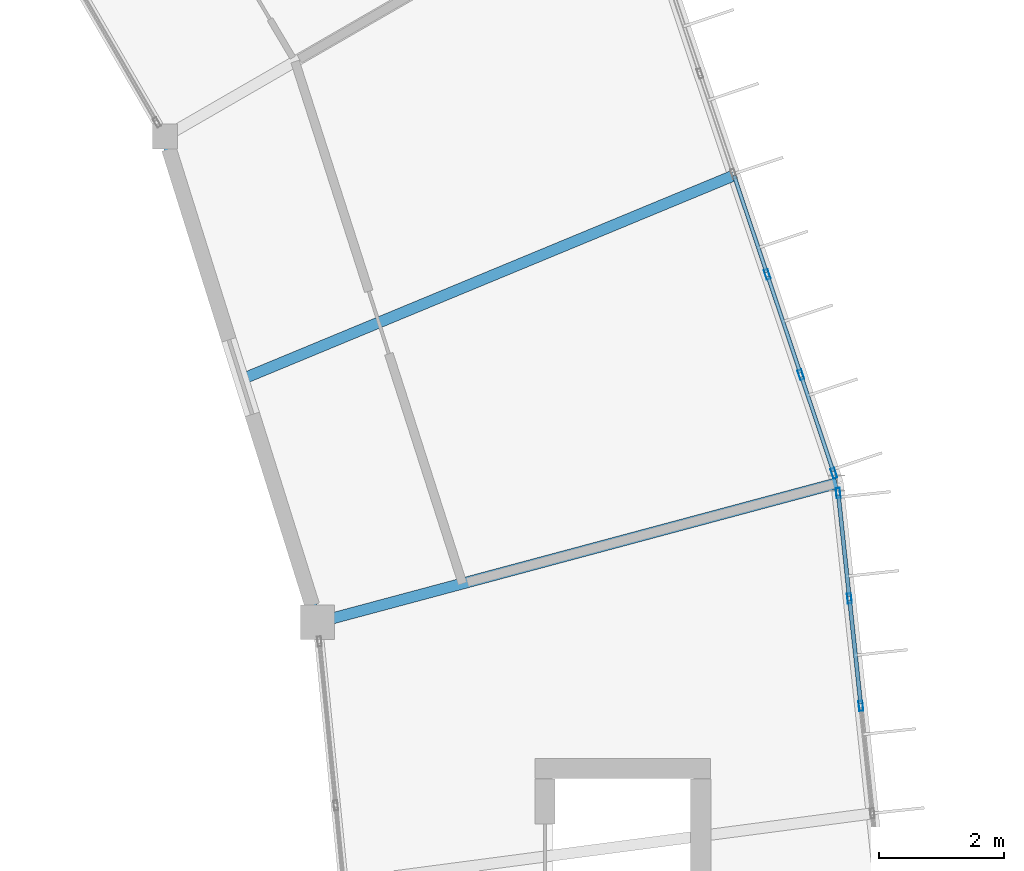
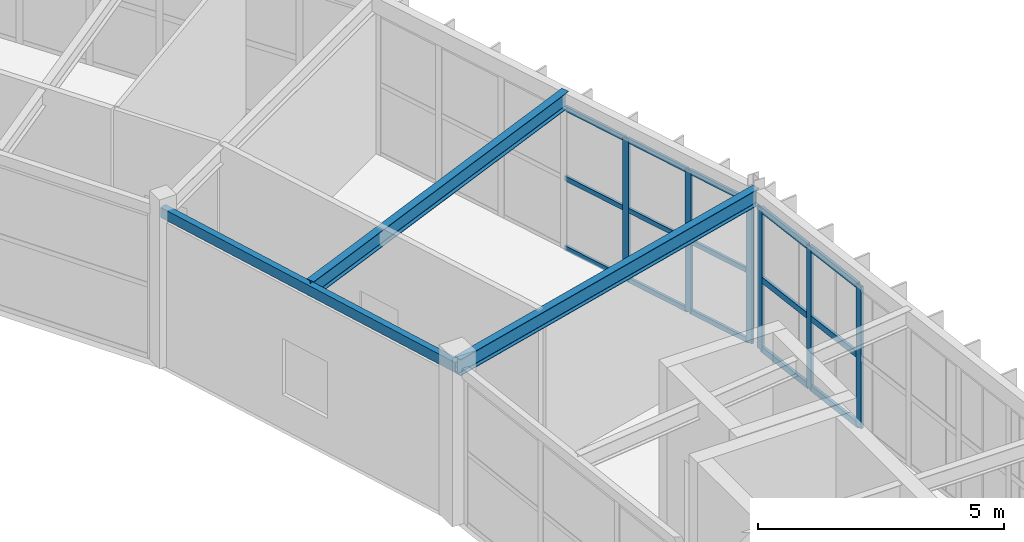
# One storey, part 28 of 66: 21 members, 3 beams, 2 elements without a shape of their own.
"""IFC4 building model written with IfcOpenShell, lengths in metres."""

from ifc_helpers import new_model, si_unit, direction, frame, origin, origin_2d, place, context, subcontext, project, spatial, hollow_rectangle, i_section, extrude, material, material_profile, profile_set, type_object, element, aggregate, save


model = new_model("IFC4")

# Units and contexts
model_context = context("Model", 3, precision=1e-05, world=origin(), true_north=direction((0.0, 1.0)))
body_context = subcontext(model_context, "Body", "Model", "MODEL_VIEW")
ifc_project = project(units=[si_unit("LENGTHUNIT", "METRE"), si_unit("AREAUNIT", "SQUARE_METRE"), si_unit("VOLUMEUNIT", "CUBIC_METRE"), si_unit("PLANEANGLEUNIT", "RADIAN"), si_unit("MASSUNIT", "GRAM", prefix="KILO")], contexts=[model_context])

# Site, building, storey
site_placement = place(None, origin())
site = spatial("IfcSite", under=ifc_project, at=site_placement, CompositionType="ELEMENT")
building_placement = place(site_placement, origin())
building = spatial("IfcBuilding", under=site, at=building_placement, Name="Karori Crest Natural Sciences Institute", CompositionType="ELEMENT")
storey_placement = place(building_placement, frame((0.0, 0.0, 30.10009765625)))
storey = spatial("IfcBuildingStorey", under=building, at=storey_placement, Name="L07", CompositionType="ELEMENT", Elevation=30.10009765625)

# Beams
ifc_material_1 = material(Name="Structural steel AS/NZS 3679.1 Grade 350", Category="steel")
ifc_material_profile_1 = material_profile(ifc_material_1, i_section(OverallWidth=0.177978515625, OverallDepth=0.406005859375, WebThickness=0.0078125, FlangeThickness=0.0126953125, FilletRadius=0.010986328125, at=origin_2d()), Name="410UB59.7")
ifc_profile_set_1 = profile_set([ifc_material_profile_1], Name="Structural steel AS/NZS 3679.1 Grade 350")
beam_type_1 = type_object("IfcBeamType", Name="BT-07", PredefinedType="BEAM", material=ifc_profile_set_1)
beam_1_placement = place(storey_placement, frame((89.968505859375, 58.23388671875, 3.739990234375), z_axis=(0.96592752402, 0.258812709002, 0.0), x_axis=(-0.258812709002, 0.96592752402, 0.0)))
element("IfcBeam", 1, at=beam_1_placement, inside=storey, type_object=beam_type_1, Name="Beam B-0649", PredefinedType="BEAM", context=body_context, shape_type="SweptSolid", body=[
    extrude(i_section(OverallWidth=0.177978515625, OverallDepth=0.406005859375, WebThickness=0.0078125, FlangeThickness=0.0126953125, FilletRadius=0.010986328125, at=origin_2d()), origin(), (0.0, 0.0, 1.0), 8.60009765625),
])
beam_2_placement = place(storey_placement, frame((88.749755859375, 62.116943359375, 3.739990234375), z_axis=(0.923879682373, 0.382683070567, 0.0), x_axis=(-0.382683070567, 0.923879682373, 0.0)))
element("IfcBeam", 2, at=beam_2_placement, inside=storey, type_object=beam_type_1, Name="Beam B-2882", PredefinedType="BEAM", context=body_context, shape_type="SweptSolid", body=[
    extrude(i_section(OverallWidth=0.177978515625, OverallDepth=0.406005859375, WebThickness=0.0078125, FlangeThickness=0.0126953125, FilletRadius=0.010986328125, at=origin_2d()), origin(), (0.0, 0.0, 1.0), 8.5263671875),
])
ifc_material_2 = material(Name="Hollow structural steel AS/NZS 1163 Grade C350", Category="steel")
ifc_material_profile_2 = material_profile(ifc_material_2, hollow_rectangle(XDim=0.14990234375, YDim=0.25, WallThickness=0.009033203125, at=origin_2d()), Name="RHS250x150x9")
ifc_profile_set_2 = profile_set([ifc_material_profile_2], Name="Hollow structural steel AS/NZS 1163 Grade C350")
beam_type_2 = type_object("IfcBeamType", Name="BT-16", PredefinedType="SPANDREL", material=ifc_profile_set_2)
beam_3_placement = place(storey_placement, frame((89.968505859375, 58.23388671875, 3.739990234375), z_axis=(-0.299460006143, 0.954108853706, 0.0), x_axis=(-0.954108853706, -0.299460006143, 0.0)))
element("IfcBeam", 3, at=beam_3_placement, inside=storey, type_object=beam_type_2, Name="Beam B-0648", PredefinedType="SPANDREL", context=body_context, shape_type="SweptSolid", body=[
    extrude(hollow_rectangle(XDim=0.14990234375, YDim=0.25, WallThickness=0.009033203125, at=origin_2d()), origin(), (0.0, 0.0, 1.0), 8.1396484375),
])

# Curtain wall, members
ifc_material_3 = material(Name="Anodised architectural aluminium 6063-T6", Category="aluminium")
curtain_wall_type_1 = type_object("IfcCurtainWallType", Name="CWT-01", PredefinedType="NOTDEFINED", material=ifc_material_3)
curtain_wall_1_placement = place(storey_placement, origin())
curtain_wall_1 = element("IfcCurtainWall", 4, at=curtain_wall_1_placement, inside=storey, type_object=curtain_wall_type_1, Name="Curtain wall CW-0243", PredefinedType="NOTDEFINED")
ifc_material_profile_3 = material_profile(ifc_material_3, hollow_rectangle(XDim=0.06494140625, YDim=0.159912109375, WallThickness=0.00390625, at=origin_2d()), Name="CWM160x65x4")
ifc_profile_set_3 = profile_set([ifc_material_profile_3], Name="Anodised architectural aluminium 6063-T6")
member_type_1 = type_object("IfcMemberType", Name="CWM-01", PredefinedType="MULLION", material=ifc_profile_set_3)
member_1_placement = place(storey_placement, frame((98.292236328125, 60.302490234375, 0.0), z_axis=(0.0, 0.0, 1.0), x_axis=(0.994378435661, 0.105884496939, 0.0)))
member_1 = element("IfcMember", 5, at=member_1_placement, type_object=member_type_1, Name="CW-0243 mullion 1", PredefinedType="MULLION", context=body_context, shape_type="SweptSolid", body=[
    extrude(hollow_rectangle(XDim=0.06494140625, YDim=0.159912109375, WallThickness=0.00390625, at=origin_2d()), origin(), (0.0, 0.0, 1.0), 3.52490234375),
])
member_2_placement = place(storey_placement, frame((98.471923828125, 58.616943359375, 0.0), z_axis=(0.0, 0.0, 1.0), x_axis=(0.994378435661, 0.105884496939, 0.0)))
member_2 = element("IfcMember", 6, at=member_2_placement, type_object=member_type_1, Name="CW-0243 mullion 2", PredefinedType="MULLION", context=body_context, shape_type="SweptSolid", body=[
    extrude(hollow_rectangle(XDim=0.06494140625, YDim=0.159912109375, WallThickness=0.00390625, at=origin_2d()), origin(), (0.0, 0.0, 1.0), 3.52490234375),
])
member_3_placement = place(storey_placement, frame((98.65478515625, 56.899169921875, 0.0), z_axis=(0.0, 0.0, 1.0), x_axis=(0.994378435661, 0.105884496939, 0.0)))
member_3 = element("IfcMember", 7, at=member_3_placement, type_object=member_type_1, Name="CW-0243 mullion 3", PredefinedType="MULLION", context=body_context, shape_type="SweptSolid", body=[
    extrude(hollow_rectangle(XDim=0.06494140625, YDim=0.159912109375, WallThickness=0.00390625, at=origin_2d()), origin(), (0.0, 0.0, 1.0), 3.52490234375),
])

curtain_wall_type_2 = type_object("IfcCurtainWallType", Name="CWT-02", PredefinedType="NOTDEFINED", material=ifc_material_3)
curtain_wall_2_placement = place(storey_placement, origin())
curtain_wall_2 = element("IfcCurtainWall", 8, at=curtain_wall_2_placement, inside=storey, type_object=curtain_wall_type_2, Name="Curtain wall CW-0245", PredefinedType="NOTDEFINED")
member_4_placement = place(storey_placement, frame((97.157470703125, 63.796875, 0.0), z_axis=(0.0, 0.0, 1.0), x_axis=(0.94819805026, 0.317679803392, 0.0)))
member_4 = element("IfcMember", 9, at=member_4_placement, type_object=member_type_1, Name="CW-0245 mullion 5", PredefinedType="MULLION", context=body_context, shape_type="SweptSolid", body=[
    extrude(hollow_rectangle(XDim=0.06494140625, YDim=0.159912109375, WallThickness=0.00390625, at=origin_2d()), origin(), (0.0, 0.0, 1.0), 3.52490234375),
])
member_5_placement = place(storey_placement, frame((97.695556640625, 62.19091796875, 0.0), z_axis=(0.0, 0.0, 1.0), x_axis=(0.94819805026, 0.317679803392, 0.0)))
member_5 = element("IfcMember", 10, at=member_5_placement, type_object=member_type_1, Name="CW-0245 mullion 6", PredefinedType="MULLION", context=body_context, shape_type="SweptSolid", body=[
    extrude(hollow_rectangle(XDim=0.06494140625, YDim=0.159912109375, WallThickness=0.00390625, at=origin_2d()), origin(), (0.0, 0.0, 1.0), 3.52490234375),
])
member_6_placement = place(storey_placement, frame((98.223388671875, 60.61572265625, 0.0), z_axis=(0.0, 0.0, 1.0), x_axis=(0.94819805026, 0.317679803392, 0.0)))
member_6 = element("IfcMember", 11, at=member_6_placement, type_object=member_type_1, Name="CW-0245 mullion 7", PredefinedType="MULLION", context=body_context, shape_type="SweptSolid", body=[
    extrude(hollow_rectangle(XDim=0.06494140625, YDim=0.159912109375, WallThickness=0.00390625, at=origin_2d()), origin(), (0.0, 0.0, 1.0), 3.52490234375),
])
ifc_material_profile_4 = material_profile(ifc_material_3, hollow_rectangle(XDim=0.06005859375, YDim=0.1201171875, WallThickness=0.00390625, at=origin_2d()), Name="CWT120x60x4")
ifc_profile_set_4 = profile_set([ifc_material_profile_4], Name="Anodised architectural aluminium 6063-T6")
member_type_2 = type_object("IfcMemberType", Name="CWT-TR1", PredefinedType="USERDEFINED", material=ifc_profile_set_4)
member_7_placement = place(storey_placement, frame((96.6298828125, 65.3720703125, 0.02978515625), z_axis=(0.317621421426, -0.948217608279, 0.0), x_axis=(0.948217608279, 0.317621421426, 0.0)))
member_7 = element("IfcMember", 12, at=member_7_placement, type_object=member_type_2, Name="CW-0245 transom 4.1", ObjectType="TRANSOM", PredefinedType="USERDEFINED", context=body_context, shape_type="SweptSolid", body=[
    extrude(hollow_rectangle(XDim=0.06005859375, YDim=0.1201171875, WallThickness=0.00390625, at=origin_2d()), origin(), (0.0, 0.0, 1.0), 1.628662109375),
])
member_8_placement = place(storey_placement, frame((96.6298828125, 65.3720703125, 1.762451171875), z_axis=(0.317621421426, -0.948217608279, 0.0), x_axis=(0.948217608279, 0.317621421426, 0.0)))
member_8 = element("IfcMember", 13, at=member_8_placement, type_object=member_type_2, Name="CW-0245 transom 4.2", ObjectType="TRANSOM", PredefinedType="USERDEFINED", context=body_context, shape_type="SweptSolid", body=[
    extrude(hollow_rectangle(XDim=0.06005859375, YDim=0.1201171875, WallThickness=0.00390625, at=origin_2d()), origin(), (0.0, 0.0, 1.0), 1.628662109375),
])
member_9_placement = place(storey_placement, frame((96.6298828125, 65.3720703125, 3.494873046875), z_axis=(0.317621421426, -0.948217608279, 0.0), x_axis=(0.948217608279, 0.317621421426, 0.0)))
member_9 = element("IfcMember", 14, at=member_9_placement, type_object=member_type_2, Name="CW-0245 transom 4.3", ObjectType="TRANSOM", PredefinedType="USERDEFINED", context=body_context, shape_type="SweptSolid", body=[
    extrude(hollow_rectangle(XDim=0.06005859375, YDim=0.1201171875, WallThickness=0.00390625, at=origin_2d()), origin(), (0.0, 0.0, 1.0), 1.628662109375),
])
member_10_placement = place(storey_placement, frame((97.16796875, 63.76611328125, 0.02978515625), z_axis=(0.317621421426, -0.948217608279, 0.0), x_axis=(0.948217608279, 0.317621421426, 0.0)))
member_10 = element("IfcMember", 15, at=member_10_placement, type_object=member_type_2, Name="CW-0245 transom 5.1", ObjectType="TRANSOM", PredefinedType="USERDEFINED", context=body_context, shape_type="SweptSolid", body=[
    extrude(hollow_rectangle(XDim=0.06005859375, YDim=0.1201171875, WallThickness=0.00390625, at=origin_2d()), origin(), (0.0, 0.0, 1.0), 1.628662109375),
])
member_11_placement = place(storey_placement, frame((97.16796875, 63.76611328125, 1.762451171875), z_axis=(0.317621421426, -0.948217608279, 0.0), x_axis=(0.948217608279, 0.317621421426, 0.0)))
member_11 = element("IfcMember", 16, at=member_11_placement, type_object=member_type_2, Name="CW-0245 transom 5.2", ObjectType="TRANSOM", PredefinedType="USERDEFINED", context=body_context, shape_type="SweptSolid", body=[
    extrude(hollow_rectangle(XDim=0.06005859375, YDim=0.1201171875, WallThickness=0.00390625, at=origin_2d()), origin(), (0.0, 0.0, 1.0), 1.628662109375),
])
member_12_placement = place(storey_placement, frame((97.16796875, 63.76611328125, 3.494873046875), z_axis=(0.317621421426, -0.948217608279, 0.0), x_axis=(0.948217608279, 0.317621421426, 0.0)))
member_12 = element("IfcMember", 17, at=member_12_placement, type_object=member_type_2, Name="CW-0245 transom 5.3", ObjectType="TRANSOM", PredefinedType="USERDEFINED", context=body_context, shape_type="SweptSolid", body=[
    extrude(hollow_rectangle(XDim=0.06005859375, YDim=0.1201171875, WallThickness=0.00390625, at=origin_2d()), origin(), (0.0, 0.0, 1.0), 1.628662109375),
])
member_13_placement = place(storey_placement, frame((97.7060546875, 62.16015625, 0.02978515625), z_axis=(0.317649722808, -0.948208127786, 0.0), x_axis=(0.948208127786, 0.317649722808, 0.0)))
member_13 = element("IfcMember", 18, at=member_13_placement, type_object=member_type_2, Name="CW-0245 transom 6.1", ObjectType="TRANSOM", PredefinedType="USERDEFINED", context=body_context, shape_type="SweptSolid", body=[
    extrude(hollow_rectangle(XDim=0.06005859375, YDim=0.1201171875, WallThickness=0.00390625, at=origin_2d()), origin(), (0.0, 0.0, 1.0), 1.596435546875),
])
member_14_placement = place(storey_placement, frame((97.7060546875, 62.16015625, 1.762451171875), z_axis=(0.317649722808, -0.948208127786, 0.0), x_axis=(0.948208127786, 0.317649722808, 0.0)))
member_14 = element("IfcMember", 19, at=member_14_placement, type_object=member_type_2, Name="CW-0245 transom 6.2", ObjectType="TRANSOM", PredefinedType="USERDEFINED", context=body_context, shape_type="SweptSolid", body=[
    extrude(hollow_rectangle(XDim=0.06005859375, YDim=0.1201171875, WallThickness=0.00390625, at=origin_2d()), origin(), (0.0, 0.0, 1.0), 1.596435546875),
])
member_15_placement = place(storey_placement, frame((97.7060546875, 62.16015625, 3.494873046875), z_axis=(0.317649722808, -0.948208127786, 0.0), x_axis=(0.948208127786, 0.317649722808, 0.0)))
member_15 = element("IfcMember", 20, at=member_15_placement, type_object=member_type_2, Name="CW-0245 transom 6.3", ObjectType="TRANSOM", PredefinedType="USERDEFINED", context=body_context, shape_type="SweptSolid", body=[
    extrude(hollow_rectangle(XDim=0.06005859375, YDim=0.1201171875, WallThickness=0.00390625, at=origin_2d()), origin(), (0.0, 0.0, 1.0), 1.596435546875),
])
aggregate(curtain_wall_2, [member_4, member_5, member_6, member_7, member_8, member_9, member_10, member_11, member_12, member_13, member_14, member_15])

# Member
ifc_material_profile_5 = material_profile(ifc_material_3, hollow_rectangle(XDim=0.06494140625, YDim=0.14990234375, WallThickness=0.00390625, at=origin_2d()), Name="CWT150x65x4")
ifc_profile_set_5 = profile_set([ifc_material_profile_5], Name="Anodised architectural aluminium 6063-T6")
member_type_3 = type_object("IfcMemberType", Name="CWT-TR2", PredefinedType="USERDEFINED", material=ifc_profile_set_5)
member_16_placement = place(storey_placement, frame((98.2958984375, 60.270263671875, 0.032470703125), z_axis=(0.105745089448, -0.99439327032, 0.0), x_axis=(0.99439327032, 0.105745089448, 0.0)))
member_16 = element("IfcMember", 21, at=member_16_placement, type_object=member_type_3, Name="CW-0243 transom 1.1", ObjectType="TRANSOM", PredefinedType="USERDEFINED", context=body_context, shape_type="SweptSolid", body=[
    extrude(hollow_rectangle(XDim=0.06494140625, YDim=0.14990234375, WallThickness=0.00390625, at=origin_2d()), origin(), (0.0, 0.0, 1.0), 1.6298828125),
])

member_17_placement = place(storey_placement, frame((98.2958984375, 60.270263671875, 1.762451171875), z_axis=(0.105745089448, -0.99439327032, 0.0), x_axis=(0.99439327032, 0.105745089448, 0.0)))
member_17 = element("IfcMember", 22, at=member_17_placement, type_object=member_type_3, Name="CW-0243 transom 1.2", ObjectType="TRANSOM", PredefinedType="USERDEFINED", context=body_context, shape_type="SweptSolid", body=[
    extrude(hollow_rectangle(XDim=0.06494140625, YDim=0.14990234375, WallThickness=0.00390625, at=origin_2d()), origin(), (0.0, 0.0, 1.0), 1.6298828125),
])

member_18_placement = place(storey_placement, frame((98.2958984375, 60.270263671875, 3.492431640625), z_axis=(0.105745089448, -0.99439327032, 0.0), x_axis=(0.99439327032, 0.105745089448, 0.0)))
member_18 = element("IfcMember", 23, at=member_18_placement, type_object=member_type_3, Name="CW-0243 transom 1.3", ObjectType="TRANSOM", PredefinedType="USERDEFINED", context=body_context, shape_type="SweptSolid", body=[
    extrude(hollow_rectangle(XDim=0.06494140625, YDim=0.14990234375, WallThickness=0.00390625, at=origin_2d()), origin(), (0.0, 0.0, 1.0), 1.6298828125),
])

member_19_placement = place(storey_placement, frame((98.475341796875, 58.584716796875, 0.032470703125), z_axis=(0.105869463411, -0.994380036363, 0.0), x_axis=(0.994380036363, 0.105869463411, 0.0)))
member_19 = element("IfcMember", 24, at=member_19_placement, type_object=member_type_3, Name="CW-0243 transom 2.1", ObjectType="TRANSOM", PredefinedType="USERDEFINED", context=body_context, shape_type="SweptSolid", body=[
    extrude(hollow_rectangle(XDim=0.06494140625, YDim=0.14990234375, WallThickness=0.00390625, at=origin_2d()), origin(), (0.0, 0.0, 1.0), 1.66259765625),
])

member_20_placement = place(storey_placement, frame((98.475341796875, 58.584716796875, 1.762451171875), z_axis=(0.105869463411, -0.994380036363, 0.0), x_axis=(0.994380036363, 0.105869463411, 0.0)))
member_20 = element("IfcMember", 25, at=member_20_placement, type_object=member_type_3, Name="CW-0243 transom 2.2", ObjectType="TRANSOM", PredefinedType="USERDEFINED", context=body_context, shape_type="SweptSolid", body=[
    extrude(hollow_rectangle(XDim=0.06494140625, YDim=0.14990234375, WallThickness=0.00390625, at=origin_2d()), origin(), (0.0, 0.0, 1.0), 1.66259765625),
])

member_21_placement = place(storey_placement, frame((98.475341796875, 58.584716796875, 3.492431640625), z_axis=(0.105869463411, -0.994380036363, 0.0), x_axis=(0.994380036363, 0.105869463411, 0.0)))
member_21 = element("IfcMember", 26, at=member_21_placement, type_object=member_type_3, Name="CW-0243 transom 2.3", ObjectType="TRANSOM", PredefinedType="USERDEFINED", context=body_context, shape_type="SweptSolid", body=[
    extrude(hollow_rectangle(XDim=0.06494140625, YDim=0.14990234375, WallThickness=0.00390625, at=origin_2d()), origin(), (0.0, 0.0, 1.0), 1.66259765625),
])

aggregate(curtain_wall_1, [member_1, member_2, member_3, member_16, member_17, member_18, member_19, member_20, member_21])

save(model, "model.ifc")
